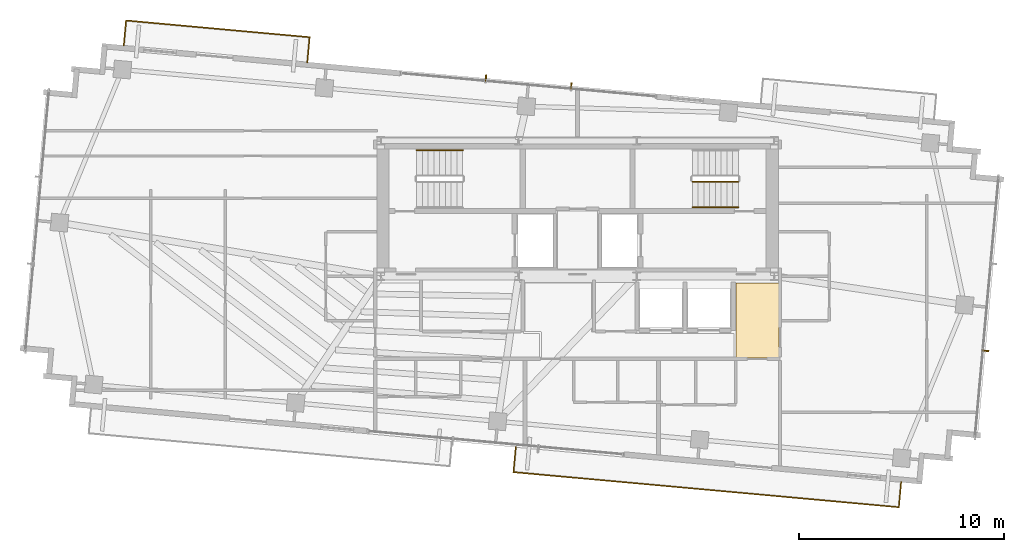
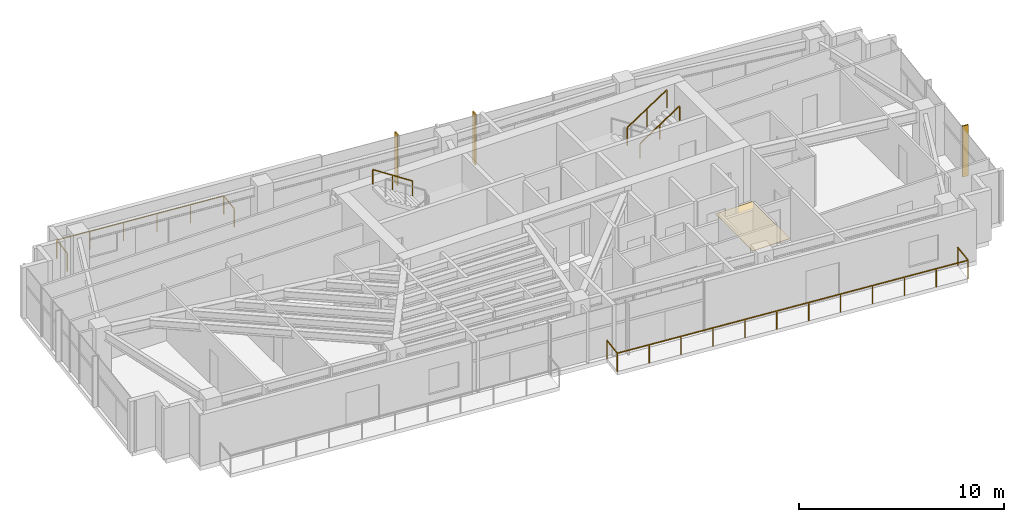
# One storey, part 21 of 22: 5 railings, 3 shading devices, 1 covering.
"""IFC4 building model written with IfcOpenShell, lengths in metres."""

import ifcopenshell
import ifcopenshell.guid

model = None  # the IFC model being written
_history = None  # IfcOwnerHistory: only IFC2X3 demands one
_inside = {}  # id of a spatial element -> (the spatial element, [elements in it])
_under = {}  # id of a project, library or spatial element -> (it, [spatial elements below it])
_declared = {}  # id of a project -> (the project, [libraries it declares])
_typed = {}  # id of a type object -> (the type object, [elements of that type])
_made_of = {}  # id of a material, layer set ... -> (it, [elements and type objects made of it])


def new_model(schema):
    """Start an empty IFC model of exactly this schema.

    Asked for "IFC4X3", IfcOpenShell would pick the latest addendum, in which some entities
    have other attributes; the version numbers below select the first issue.
    IFC2X3 requires an IfcOwnerHistory on every rooted entity: one is made here for all.
    """
    global model, _history
    if schema == "IFC4X3":
        model = ifcopenshell.file(schema_version=(4, 3, 0, 0))
    else:
        model = ifcopenshell.file(schema=schema)
    _inside.clear()
    _under.clear()
    _declared.clear()
    _typed.clear()
    _made_of.clear()
    _history = None
    if model.schema == "IFC2X3":
        org = make("IfcOrganization", Name="unknown")
        user = make(
            "IfcPersonAndOrganization",
            ThePerson=make("IfcPerson", FamilyName="unknown"),
            TheOrganization=org,
        )
        app = make(
            "IfcApplication",
            ApplicationDeveloper=org,
            Version="unknown",
            ApplicationFullName="unknown",
            ApplicationIdentifier="unknown",
        )
        _history = make(
            "IfcOwnerHistory",
            OwningUser=user,
            OwningApplication=app,
            ChangeAction="ADDED",
            CreationDate=0,
        )
    return model


def make(cls, **values):
    """One entity of the class cls with the attributes given. An attribute that is None is left unset."""
    return model.create_entity(
        cls, **{name: value for name, value in values.items() if value is not None}
    )


def rooted(cls, **values):
    """An entity with a GlobalId (a new one), such as an element, a storey or a relation."""
    return make(cls, GlobalId=ifcopenshell.guid.new(), OwnerHistory=_history, **values)


def si_unit(unit_type, name, prefix=None):
    """IfcSIUnit, for example si_unit("LENGTHUNIT", "METRE", prefix="MILLI")."""
    return make("IfcSIUnit", UnitType=unit_type, Prefix=prefix, Name=name)


def assignment(units):
    """IfcUnitAssignment: the units of a project."""
    return None if units is None else make("IfcUnitAssignment", Units=units)


def point(xyz):
    """IfcCartesianPoint."""
    return None if xyz is None else make("IfcCartesianPoint", Coordinates=xyz)


def direction(xyz):
    """IfcDirection."""
    return None if xyz is None else make("IfcDirection", DirectionRatios=xyz)


def frame(location, z_axis=None, x_axis=None):
    """IfcAxis2Placement3D, a coordinate frame: its origin and axes. An axis left out is left unset."""
    return make(
        "IfcAxis2Placement3D",
        Location=point(location),
        Axis=direction(z_axis),
        RefDirection=direction(x_axis),
    )


def frame_2d(location, x_axis=None):
    """IfcAxis2Placement2D, a coordinate frame in the plane: its origin and x axis."""
    return make(
        "IfcAxis2Placement2D", Location=point(location), RefDirection=direction(x_axis)
    )


def origin():
    """The frame at (0, 0, 0) with its axes left unset."""
    return frame((0.0, 0.0, 0.0))


def origin_2d():
    """The frame at (0, 0) in the plane with its x axis left unset."""
    return frame_2d((0.0, 0.0))


def place(relative_to, where):
    """IfcLocalPlacement: puts the frame where relative to a parent placement (None: the world)."""
    return make(
        "IfcLocalPlacement", PlacementRelTo=relative_to, RelativePlacement=where
    )


def context(
    kind, dimensions, precision=None, world=None, true_north=None, identifier=None
):
    """IfcGeometricRepresentationContext, for example the 3D "Model" context."""
    return make(
        "IfcGeometricRepresentationContext",
        ContextIdentifier=identifier,
        ContextType=kind,
        CoordinateSpaceDimension=dimensions,
        Precision=precision,
        WorldCoordinateSystem=world,
        TrueNorth=true_north,
    )


def subcontext(parent, identifier, kind, view, scale=None):
    """IfcGeometricRepresentationSubContext, for example "Body" below "Model"."""
    return make(
        "IfcGeometricRepresentationSubContext",
        ContextIdentifier=identifier,
        ContextType=kind,
        ParentContext=parent,
        TargetScale=scale,
        TargetView=view,
    )


def project(units=None, contexts=None):
    """IfcProject with its units and contexts."""
    return rooted(
        "IfcProject",
        Name="project",
        RepresentationContexts=contexts,
        UnitsInContext=assignment(units),
    )


def spatial(cls, under=None, at=None, **own):
    """A site, building, storey or space (cls), placed at a placement, below another one or the project."""
    s = rooted(cls, ObjectPlacement=at, **own)
    if under is not None:
        _under.setdefault(under.id(), (under, []))[1].append(s)
    return s


def polyline(points):
    """IfcPolyline through the points."""
    return make("IfcPolyline", Points=[point(p) for p in points])


def profile(cls, at=None, kind="AREA", **sizes):
    """A parametric profile (cls). Its sizes go by their IFC names, for example OverallWidth=200.0."""
    return make(cls, ProfileType=kind, Position=at, **sizes)


def rectangle(**sizes):
    """IfcRectangleProfileDef."""
    return profile("IfcRectangleProfileDef", **sizes)


def outline(outer, holes=None, kind="AREA"):
    """IfcArbitraryClosedProfileDef: a profile drawn as a closed curve; with holes, ...WithVoids."""
    if holes is None:
        return make("IfcArbitraryClosedProfileDef", ProfileType=kind, OuterCurve=outer)
    return make(
        "IfcArbitraryProfileDefWithVoids",
        ProfileType=kind,
        OuterCurve=outer,
        InnerCurves=holes,
    )


def extrude(swept, where, along, depth):
    """IfcExtrudedAreaSolid: the profile swept, set in the frame where, extruded along a direction by depth."""
    return make(
        "IfcExtrudedAreaSolid",
        SweptArea=swept,
        Position=where,
        ExtrudedDirection=direction(along),
        Depth=depth,
    )


def shape(context_of_items, identifier, shape_type, items):
    """IfcShapeRepresentation: the items that make up one representation, for example the "Body"."""
    return make(
        "IfcShapeRepresentation",
        ContextOfItems=context_of_items,
        RepresentationIdentifier=identifier,
        RepresentationType=shape_type,
        Items=items,
    )


def source(mapping_origin, context_of_items, identifier, shape_type, items):
    """IfcRepresentationMap: a shape defined once, which mapped items show again and again."""
    return make(
        "IfcRepresentationMap",
        MappingOrigin=mapping_origin,
        MappedRepresentation=shape(context_of_items, identifier, shape_type, items),
    )


def transform(
    local_origin,
    x_axis=None,
    y_axis=None,
    z_axis=None,
    scale=None,
    scale2=None,
    scale3=None,
    uniform=True,
):
    """IfcCartesianTransformationOperator3D, or its non-uniform kind. x_axis, y_axis, z_axis: its Axis1, 2, 3."""
    if uniform:
        return make(
            "IfcCartesianTransformationOperator3D",
            Axis1=direction(x_axis),
            Axis2=direction(y_axis),
            LocalOrigin=point(local_origin),
            Scale=scale,
            Axis3=direction(z_axis),
        )
    return make(
        "IfcCartesianTransformationOperator3DnonUniform",
        Axis1=direction(x_axis),
        Axis2=direction(y_axis),
        LocalOrigin=point(local_origin),
        Scale=scale,
        Axis3=direction(z_axis),
        Scale2=scale2,
        Scale3=scale3,
    )


def mapped(mapping_source, mapping_target):
    """IfcMappedItem: shows the shape of a source again, moved by a transform."""
    return make(
        "IfcMappedItem", MappingSource=mapping_source, MappingTarget=mapping_target
    )


def material(Name=None, Category=None):
    """IfcMaterial."""
    return make("IfcMaterial", Name=Name, Category=Category)


def layer(
    of_material, thickness, ventilated=None, Name=None, Category=None, Priority=None
):
    """IfcMaterialLayer: one layer of a wall or slab, of a material (None: an air gap)."""
    return make(
        "IfcMaterialLayer",
        Material=of_material,
        LayerThickness=thickness,
        IsVentilated=ventilated,
        Name=Name,
        Category=Category,
        Priority=Priority,
    )


def layer_set(layers, Name=None):
    """IfcMaterialLayerSet."""
    return make("IfcMaterialLayerSet", MaterialLayers=layers, LayerSetName=Name)


def made_of(thing, what):
    """Note that an element or type object is made of a material, layer set ...; save() writes the relation."""
    if what is not None:
        _made_of.setdefault(what.id(), (what, []))[1].append(thing)
    return thing


def type_object(cls, material=None, **own):
    """A type object (cls), such as IfcWallType, which elements share."""
    return made_of(rooted(cls, **own), material)


def type_shapes(of_type, sources):
    """Give a type object the sources (RepresentationMaps) that its elements show as mapped items."""
    of_type.RepresentationMaps = sources


def element(
    cls,
    number,
    at=None,
    inside=None,
    cuts=None,
    type_object=None,
    material=None,
    context=None,
    identifier="Body",
    shape_type=None,
    held_by="IfcProductDefinitionShape",
    body=None,
    shapes=None,
    **own,
):
    """One element of the class cls, such as IfcWall. Its Tag is "e" and its number.

    at: its placement. inside: the storey or other place that contains it. cuts: it is an
    opening in that element (IfcRelVoidsElement). A single representation is given by context,
    identifier, shape_type and body (its items); several are given by shapes. held_by: the class
    of the entity that holds the representations. save() writes the other relations.
    """
    e = rooted(cls, Tag="e%d" % number, ObjectPlacement=at, **own)
    if body is not None:
        shapes = [shape(context, identifier, shape_type, body)]
    if shapes is not None:
        e.Representation = make(held_by, Representations=shapes)
    if inside is not None:
        _inside.setdefault(inside.id(), (inside, []))[1].append(e)
    if cuts is not None:
        rooted(
            "IfcRelVoidsElement", RelatingBuildingElement=cuts, RelatedOpeningElement=e
        )
    if type_object is not None:
        _typed.setdefault(type_object.id(), (type_object, []))[1].append(e)
    return made_of(e, material)


def aggregate(whole, parts):
    """IfcRelAggregates: a whole, such as a stair, and the parts it consists of."""
    return rooted("IfcRelAggregates", RelatingObject=whole, RelatedObjects=parts)


def save(model, path):
    """Write the relations noted so far, then the file.

    IfcRelAggregates (storeys below a building ...), IfcRelContainedInSpatialStructure (elements
    in a storey), IfcRelDefinesByType, IfcRelAssociatesMaterial and IfcRelDeclares: one each for
    every whole, place, type object, material and project.
    """
    for whole, parts in _under.values():
        aggregate(whole, parts)
    for where, things in _inside.values():
        rooted(
            "IfcRelContainedInSpatialStructure",
            RelatedElements=things,
            RelatingStructure=where,
        )
    for kind, things in _typed.values():
        rooted("IfcRelDefinesByType", RelatedObjects=things, RelatingType=kind)
    for what, things in _made_of.values():
        rooted("IfcRelAssociatesMaterial", RelatedObjects=things, RelatingMaterial=what)
    for by, libraries in _declared.values():
        rooted("IfcRelDeclares", RelatingContext=by, RelatedDefinitions=libraries)
    model.write(path)


model = new_model("IFC4")

# Units and contexts
model_context = context("Model", 3, precision=1e-05, world=origin(), true_north=direction((0.0, 1.0)))
body_context = subcontext(model_context, "Body", "Model", "MODEL_VIEW")
ifc_project = project(units=[si_unit("LENGTHUNIT", "METRE"), si_unit("AREAUNIT", "SQUARE_METRE"), si_unit("VOLUMEUNIT", "CUBIC_METRE"), si_unit("PLANEANGLEUNIT", "RADIAN"), si_unit("MASSUNIT", "GRAM", prefix="KILO")], contexts=[model_context])

# Site, building, storey
site_placement = place(None, origin())
site = spatial("IfcSite", under=ifc_project, at=site_placement, CompositionType="ELEMENT")
building_placement = place(site_placement, origin())
building = spatial("IfcBuilding", under=site, at=building_placement, Name="Astriad Promenade Condominiums", CompositionType="ELEMENT")
storey_placement = place(building_placement, frame((0.0, 0.0, 243.0)))
storey = spatial("IfcBuildingStorey", under=building, at=storey_placement, Name="L70", CompositionType="ELEMENT", Elevation=243.0)

# Covering
ifc_material_1 = material(Name="Polished Lakefront Terrazzo Flooring")
ifc_layer = layer(ifc_material_1, 0.02001953125)
ifc_layer_set = layer_set([ifc_layer], Name="Polished Lakefront Terrazzo Flooring")
covering_type = type_object("IfcCoveringType", Name="COV-FLOR-TERRAZZO-20", PredefinedType="FLOORING", material=ifc_layer_set)
covering_placement = place(storey_placement, origin())
element("IfcCovering", 1, at=covering_placement, inside=storey, type_object=covering_type, Name="FLR-L70-COR-1", PredefinedType="FLOORING", context=body_context, shape_type="SweptSolid", body=[
    extrude(outline(polyline([(43.72998046875, 13.39990234375), (43.72998046875, 14.62353515625), (43.73095703125, 14.62451171875), (43.7333984375, 14.627685546875), (43.7353515625, 14.631103515625), (43.737060546875, 14.634765625), (43.73828125, 14.638427734375), (43.7392578125, 14.64208984375), (43.73974609375, 14.64599609375), (43.739990234375, 14.64990234375), (43.739990234375, 17.06005859375), (45.840087890625, 17.06005859375), (45.840087890625, 13.39990234375), (43.72998046875, 13.39990234375)])), origin(), (0.0, 0.0, 1.0), 0.02001953125),
])

# Shading devices
ifc_material_2 = material(Name="Anodised aluminium 6063-T6 Black Fin", Category="aluminium")
shading_device_type = type_object("IfcShadingDeviceType", Name="FIN-BLACK-260", PredefinedType="USERDEFINED", material=ifc_material_2)
shared_shape_1 = source(origin(), body_context, "Body", "SweptSolid", [
    extrude(rectangle(XDim=0.06494140625, YDim=0.320068359375, at=origin_2d()), origin(), (0.0, 0.0, 1.0), 3.0400390625),
])
type_shapes(shading_device_type, [shared_shape_1])
for number, where, z_axis, x_axis, name in (
    (2, (31.526123046875, 27.062744140625, 0.0), (0.0, 0.0, 1.0), (0.995884398616, -0.090632580198, 0.0), "CW-L70-N-FIN-01"),
    (3, (35.68896484375, 26.683837890625, 0.0), (0.0, 0.0, 1.0), (0.995884398616, -0.090632580198, 0.0), "CW-L70-N-FIN-02"),
    (4, (55.920166015625, 13.753662109375, 0.0), (0.0, 0.0, 1.0), (-0.090632580198, -0.995884398616, 0.0), "CW-L70-E-FIN-02"),
):
    element("IfcShadingDevice", number, at=place(storey_placement, frame(where, z_axis=z_axis, x_axis=x_axis)), inside=storey, type_object=shading_device_type, Name=name, ObjectType="FIN", PredefinedType="USERDEFINED", context=body_context, shape_type="MappedRepresentation", body=[
        mapped(shared_shape_1, transform((0.0, 0.0, 0.0), scale=1.0)),
    ])

# Railings
ifc_material_3 = material(Name="Laminated Glass and Stainless Steel Balustrade", Category="steel")
railing_type_1 = type_object("IfcRailingType", Name="GRD-BALC-1120", PredefinedType="BALUSTRADE", material=ifc_material_3)
shared_shape_2 = source(origin(), body_context, "Body", "SweptSolid", [
    extrude(rectangle(XDim=0.048095703125, YDim=0.048095703125, at=origin_2d()), frame((0.0, 0.0, 1.09619140625), z_axis=(-0.09066206129, -0.995881715186, 0.0), x_axis=(0.995881715186, -0.09066206129, 0.0)), (0.0, 0.0, 1.0), 1.219970703125),
    extrude(rectangle(XDim=0.048095703125, YDim=0.048095703125, at=origin_2d()), frame((-0.110595703125, -1.21484375, 1.09619140625), z_axis=(0.995884831761, -0.090627820611, 0.0), x_axis=(0.090627820611, 0.995884831761, 0.0)), (0.0, 0.0, 1.0), 18.88671875),
    extrude(rectangle(XDim=0.048095703125, YDim=0.048095703125, at=origin_2d()), frame((18.698486328125, -2.926513671875, 1.09619140625), z_axis=(0.09066206129, 0.995881715186, 0.0), x_axis=(-0.995881715186, 0.09066206129, 0.0)), (0.0, 0.0, 1.0), 1.219970703125),
    extrude(rectangle(XDim=0.0419921875, YDim=0.0419921875, at=origin_2d()), origin(), (0.0, 0.0, 1.0), 1.072021484375),
    extrude(rectangle(XDim=0.0419921875, YDim=0.0419921875, at=origin_2d()), frame((-0.110595703125, -1.21484375, 0.0)), (0.0, 0.0, 1.0), 1.072021484375),
    extrude(rectangle(XDim=0.0419921875, YDim=0.0419921875, at=origin_2d()), frame((1.599365234375, -1.370361328125, 0.0)), (0.0, 0.0, 1.0), 1.072021484375),
    extrude(rectangle(XDim=0.0419921875, YDim=0.0419921875, at=origin_2d()), frame((3.309326171875, -1.526123046875, 0.0)), (0.0, 0.0, 1.0), 1.072021484375),
    extrude(rectangle(XDim=0.0419921875, YDim=0.0419921875, at=origin_2d()), frame((5.01904296875, -1.681640625, 0.0)), (0.0, 0.0, 1.0), 1.072021484375),
    extrude(rectangle(XDim=0.0419921875, YDim=0.0419921875, at=origin_2d()), frame((6.72900390625, -1.837158203125, 0.0)), (0.0, 0.0, 1.0), 1.072021484375),
    extrude(rectangle(XDim=0.0419921875, YDim=0.0419921875, at=origin_2d()), frame((8.43896484375, -1.992919921875, 0.0)), (0.0, 0.0, 1.0), 1.072021484375),
    extrude(rectangle(XDim=0.0419921875, YDim=0.0419921875, at=origin_2d()), frame((10.14892578125, -2.1484375, 0.0)), (0.0, 0.0, 1.0), 1.072021484375),
    extrude(rectangle(XDim=0.0419921875, YDim=0.0419921875, at=origin_2d()), frame((11.85888671875, -2.30419921875, 0.0)), (0.0, 0.0, 1.0), 1.072021484375),
    extrude(rectangle(XDim=0.0419921875, YDim=0.0419921875, at=origin_2d()), frame((13.56884765625, -2.459716796875, 0.0)), (0.0, 0.0, 1.0), 1.072021484375),
    extrude(rectangle(XDim=0.0419921875, YDim=0.0419921875, at=origin_2d()), frame((15.278564453125, -2.615234375, 0.0)), (0.0, 0.0, 1.0), 1.072021484375),
    extrude(rectangle(XDim=0.0419921875, YDim=0.0419921875, at=origin_2d()), frame((16.988525390625, -2.77099609375, 0.0)), (0.0, 0.0, 1.0), 1.072021484375),
    extrude(rectangle(XDim=0.0419921875, YDim=0.0419921875, at=origin_2d()), frame((18.698486328125, -2.926513671875, 0.0)), (0.0, 0.0, 1.0), 1.072021484375),
    extrude(rectangle(XDim=0.0419921875, YDim=0.0419921875, at=origin_2d()), frame((18.80908203125, -1.711669921875, 0.0)), (0.0, 0.0, 1.0), 1.072021484375),
])
railing_1_placement = place(storey_placement, frame((32.9833984375, 9.04638671875, 0.0)))
element("IfcRailing", 5, at=railing_1_placement, inside=storey, type_object=railing_type_1, Name="GRD-BALC-L70-SE", PredefinedType="BALUSTRADE", context=body_context, shape_type="MappedRepresentation", body=[
    mapped(shared_shape_2, transform((0.0, 0.0, 0.0), scale=1.0)),
])
shared_shape_3 = source(origin(), body_context, "Body", "SweptSolid", [
    extrude(rectangle(XDim=0.048095703125, YDim=0.048095703125, at=origin_2d()), frame((0.0, 0.0, 1.09619140625), z_axis=(0.090643994769, 0.995883359743, 0.0), x_axis=(-0.995883359743, 0.090643994769, 0.0)), (0.0, 0.0, 1.0), 1.22021484375),
    extrude(rectangle(XDim=0.048095703125, YDim=0.048095703125, at=origin_2d()), frame((0.110595703125, 1.215087890625, 1.09619140625), z_axis=(-0.995884970838, 0.090626292315, 0.0), x_axis=(-0.090626292315, -0.995884970838, 0.0)), (0.0, 0.0, 1.0), 8.9951171875),
    extrude(rectangle(XDim=0.048095703125, YDim=0.048095703125, at=origin_2d()), frame((-8.847412109375, 2.0302734375, 1.09619140625), z_axis=(-0.09066206129, -0.995881715186, 0.0), x_axis=(0.995881715186, -0.09066206129, 0.0)), (0.0, 0.0, 1.0), 1.219970703125),
    extrude(rectangle(XDim=0.0419921875, YDim=0.0419921875, at=origin_2d()), origin(), (0.0, 0.0, 1.0), 1.072021484375),
    extrude(rectangle(XDim=0.0419921875, YDim=0.0419921875, at=origin_2d()), frame((0.110595703125, 1.215087890625, 0.0)), (0.0, 0.0, 1.0), 1.072021484375),
    extrude(rectangle(XDim=0.0419921875, YDim=0.0419921875, at=origin_2d()), frame((-1.680908203125, 1.378173828125, 0.0)), (0.0, 0.0, 1.0), 1.072021484375),
    extrude(rectangle(XDim=0.0419921875, YDim=0.0419921875, at=origin_2d()), frame((-3.47265625, 1.541259765625, 0.0)), (0.0, 0.0, 1.0), 1.072021484375),
    extrude(rectangle(XDim=0.0419921875, YDim=0.0419921875, at=origin_2d()), frame((-5.26416015625, 1.7041015625, 0.0)), (0.0, 0.0, 1.0), 1.072021484375),
    extrude(rectangle(XDim=0.0419921875, YDim=0.0419921875, at=origin_2d()), frame((-7.055908203125, 1.8671875, 0.0)), (0.0, 0.0, 1.0), 1.072021484375),
    extrude(rectangle(XDim=0.0419921875, YDim=0.0419921875, at=origin_2d()), frame((-8.847412109375, 2.0302734375, 0.0)), (0.0, 0.0, 1.0), 1.072021484375),
    extrude(rectangle(XDim=0.0419921875, YDim=0.0419921875, at=origin_2d()), frame((-8.9580078125, 0.8154296875, 0.0)), (0.0, 0.0, 1.0), 1.072021484375),
])
type_shapes(railing_type_1, [shared_shape_2, shared_shape_3])
railing_2_placement = place(storey_placement, frame((22.811279296875, 27.845703125, 0.0)))
element("IfcRailing", 6, at=railing_2_placement, inside=storey, type_object=railing_type_1, Name="GRD-BALC-L70-NW", PredefinedType="BALUSTRADE", context=body_context, shape_type="MappedRepresentation", body=[
    mapped(shared_shape_3, transform((0.0, 0.0, 0.0), scale=1.0)),
])
ifc_material_4 = material(Name="Painted Galvanised Steel Guardrail", Category="steel")
railing_type_2 = type_object("IfcRailingType", Name="GRD-STAIR-1100", PredefinedType="GUARDRAIL", material=ifc_material_4)
shared_shape_4 = source(origin(), body_context, "Body", "SweptSolid", [
    extrude(rectangle(XDim=0.048095703125, YDim=0.048095703125, at=origin_2d()), frame((0.0, 0.0, 1.076171875), z_axis=(0.836595146698, 0.0, 0.547821650285), x_axis=(0.0, 1.0, 0.0)), (0.0, 0.0, 1.0), 2.677490234375),
    extrude(rectangle(XDim=0.0419921875, YDim=0.0419921875, at=origin_2d()), origin(), (0.0, 0.0, 1.0), 1.052001953125),
    extrude(rectangle(XDim=0.0419921875, YDim=0.0419921875, at=origin_2d()), frame((1.1201171875, 0.0, 0.7333984375)), (0.0, 0.0, 1.0), 1.052001953125),
    extrude(rectangle(XDim=0.0419921875, YDim=0.0419921875, at=origin_2d()), frame((2.239990234375, 0.0, 1.466796875)), (0.0, 0.0, 1.0), 1.052001953125),
])
type_shapes(railing_type_2, [shared_shape_4])
railing_3_placement = place(storey_placement, frame((41.610107421875, 22.0, 1.833251953125)))
element("IfcRailing", 7, at=railing_3_placement, inside=storey, type_object=railing_type_2, Name="L70 ST-2 stair guard 3", PredefinedType="GUARDRAIL", context=body_context, shape_type="MappedRepresentation", body=[
    mapped(shared_shape_4, transform((0.0, 0.0, 0.0), scale=1.0)),
])
ifc_material_5 = material(Name="Brushed Stainless Steel Handrail", Category="steel")
railing_type_3 = type_object("IfcRailingType", Name="HRL-STAIR-920", PredefinedType="HANDRAIL", material=ifc_material_5)
shared_shape_5 = source(origin(), body_context, "Body", "SweptSolid", [
    extrude(rectangle(XDim=0.048095703125, YDim=0.048095703125, at=origin_2d()), frame((0.0, 0.0, 0.8759765625), z_axis=(0.836595146698, 0.0, 0.547821650285), x_axis=(0.0, 1.0, 0.0)), (0.0, 0.0, 1.0), 2.677490234375),
    extrude(rectangle(XDim=0.0419921875, YDim=0.0419921875, at=origin_2d()), origin(), (0.0, 0.0, 1.0), 0.851806640625),
    extrude(rectangle(XDim=0.0419921875, YDim=0.0419921875, at=origin_2d()), frame((1.1201171875, 0.0, 0.7333984375)), (0.0, 0.0, 1.0), 0.851806640625),
    extrude(rectangle(XDim=0.0419921875, YDim=0.0419921875, at=origin_2d()), frame((2.239990234375, 0.0, 1.466796875)), (0.0, 0.0, 1.0), 0.851806640625),
])
railing_4_placement = place(storey_placement, frame((41.610107421875, 20.75, 1.833251953125)))
element("IfcRailing", 8, at=railing_4_placement, inside=storey, type_object=railing_type_3, Name="L70 ST-2 stair handrail 2", PredefinedType="HANDRAIL", context=body_context, shape_type="MappedRepresentation", body=[
    mapped(shared_shape_5, transform((0.0, 0.0, 0.0), scale=1.0)),
])
shared_shape_6 = source(origin(), body_context, "Body", "SweptSolid", [
    extrude(rectangle(XDim=0.048095703125, YDim=0.048095703125, at=origin_2d()), frame((0.0, 0.0, 0.8759765625), z_axis=(-0.836595146698, 0.0, 0.547821650285), x_axis=(0.0, -1.0, 0.0)), (0.0, 0.0, 1.0), 2.677490234375),
    extrude(rectangle(XDim=0.0419921875, YDim=0.0419921875, at=origin_2d()), origin(), (0.0, 0.0, 1.0), 0.851806640625),
    extrude(rectangle(XDim=0.0419921875, YDim=0.0419921875, at=origin_2d()), frame((-1.1201171875, 0.0, 0.7333984375)), (0.0, 0.0, 1.0), 0.851806640625),
    extrude(rectangle(XDim=0.0419921875, YDim=0.0419921875, at=origin_2d()), frame((-2.239990234375, 0.0, 1.466796875)), (0.0, 0.0, 1.0), 0.851806640625),
])
type_shapes(railing_type_3, [shared_shape_5, shared_shape_6])
railing_5_placement = place(storey_placement, frame((30.389892578125, 23.550048828125, 1.833251953125)))
element("IfcRailing", 9, at=railing_5_placement, inside=storey, type_object=railing_type_3, Name="L70 ST-1 stair handrail 2", PredefinedType="HANDRAIL", context=body_context, shape_type="MappedRepresentation", body=[
    mapped(shared_shape_6, transform((0.0, 0.0, 0.0), scale=1.0)),
])

save(model, "model.ifc")
